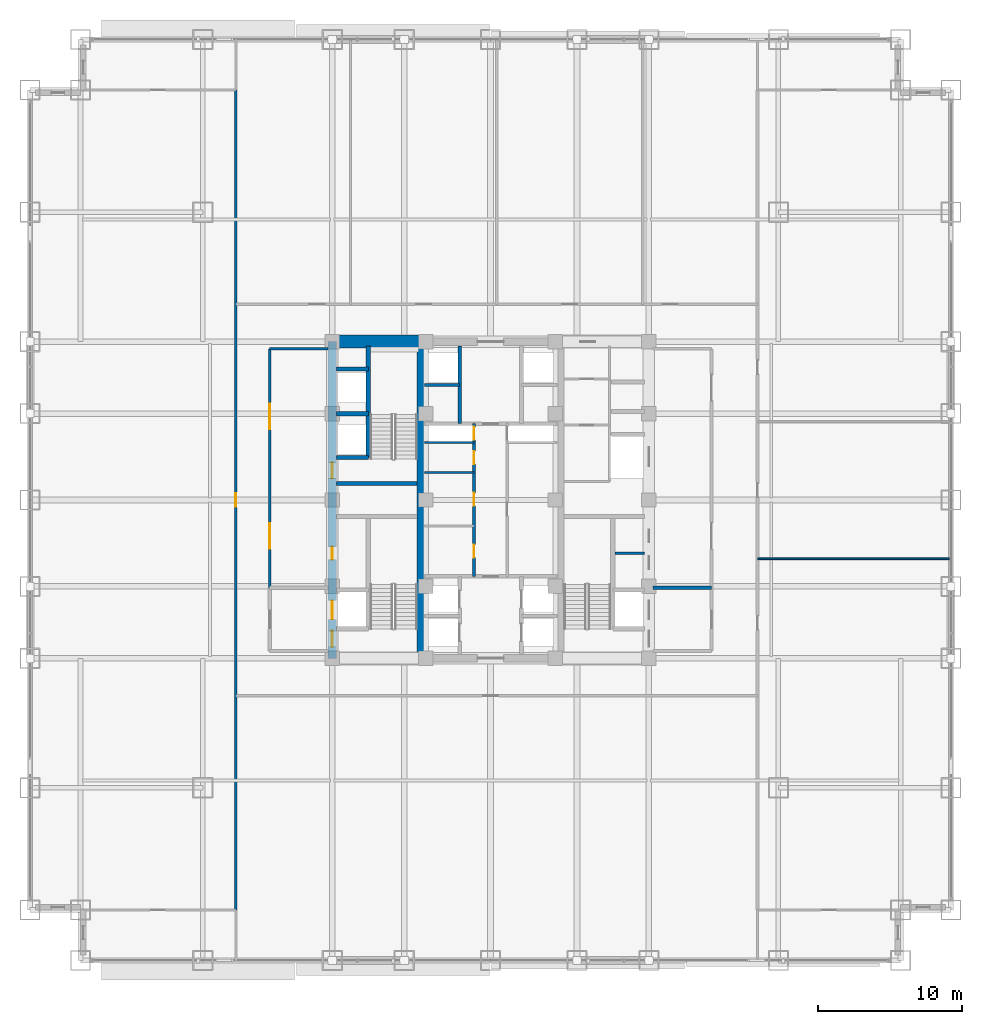
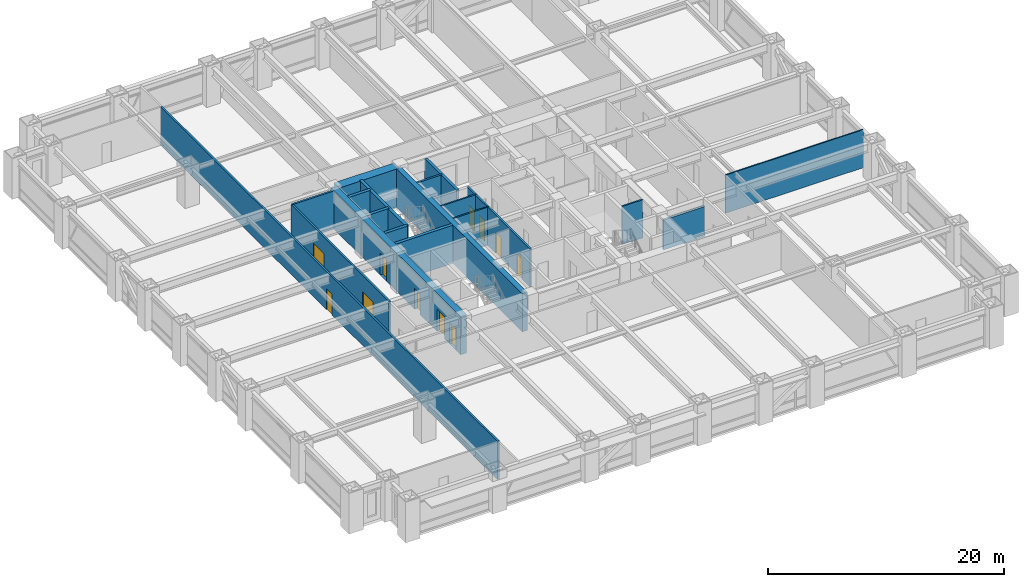
# One storey, part 24 of 31: 19 walls, 11 doors, 11 openings.
"""IFC4 building model written with IfcOpenShell, lengths in metres."""

from ifc_helpers import new_model, si_unit, direction, frame, frame_2d, origin, place, context, subcontext, project, spatial, rectangle, extrude, source, transform, mapped, material, layer, layer_set, type_object, element, fill, save


model = new_model("IFC4")

# Units and contexts
model_context = context("Model", 3, precision=1e-05, world=origin(), true_north=direction((0.0, 1.0)))
body_context = subcontext(model_context, "Body", "Model", "MODEL_VIEW")
ifc_project = project(units=[si_unit("LENGTHUNIT", "METRE"), si_unit("AREAUNIT", "SQUARE_METRE"), si_unit("VOLUMEUNIT", "CUBIC_METRE"), si_unit("PLANEANGLEUNIT", "RADIAN"), si_unit("MASSUNIT", "GRAM", prefix="KILO")], contexts=[model_context])

# Site, building, storey
site_placement = place(None, origin())
site = spatial("IfcSite", under=ifc_project, at=site_placement, CompositionType="ELEMENT")
building_placement = place(site_placement, origin())
building = spatial("IfcBuilding", under=site, at=building_placement, Name="Khorayat Bourse Tower", CompositionType="ELEMENT")
storey_placement = place(building_placement, frame((0.0, 0.0, 32.60009765625)))
storey = spatial("IfcBuildingStorey", under=building, at=storey_placement, Name="L06", CompositionType="ELEMENT", Elevation=32.60009765625)

# Wall, openings, doors
ifc_material_1 = material(Name="Concrete C60/75", Category="concrete")
ifc_layer_1 = layer(ifc_material_1, 0.60009765625)
ifc_layer_set_1 = layer_set([ifc_layer_1], Name="Concrete C60/75")
wall_type_1 = type_object("IfcWallType", Name="WAL-CORE-600", PredefinedType="SHEAR", material=ifc_layer_set_1)
shared_shape_1 = source(origin(), body_context, "Body", "SweptSolid", [
    extrude(rectangle(XDim=22.0, YDim=0.60009765625, at=frame_2d((11.0, 0.0))), origin(), (0.0, 0.0, 1.0), 3.93994140625),
])
wall_1_placement = place(storey_placement, frame((-11.0, -11.0, 0.0), z_axis=(0.0, 0.0, 1.0), x_axis=(0.0, 1.0, 0.0)))
wall_1 = element("IfcWall", 1, at=wall_1_placement, inside=storey, type_object=wall_type_1, Name="L06 Core Shear Wall CORE-W", PredefinedType="SHEAR", context=body_context, shape_type="MappedRepresentation", body=[
    mapped(shared_shape_1, transform((0.0, 0.0, 0.0), scale=1.0)),
])
shared_shape_2 = source(origin(), body_context, "Body", "SweptSolid", [
    extrude(rectangle(XDim=1.10009765625, YDim=2.199951171875, at=frame_2d((0.550048828125, 1.10009765625))), frame((0.0, 0.31005859375, 0.0), z_axis=(0.0, -1.0, 0.0), x_axis=(1.0, 0.0, 0.0)), (0.0, 0.0, 1.0), 0.6201171875),
])
opening_1_placement = place(wall_1_placement, frame((0.800048828125, 0.0, 0.0)))
opening_1 = element("IfcOpeningElement", 2, at=opening_1_placement, cuts=wall_1, Name="Opening DI-01", PredefinedType="OPENING", context=body_context, shape_type="MappedRepresentation", body=[
    mapped(shared_shape_2, transform((0.0, 0.0, 0.0), scale=1.0)),
])
opening_2_placement = place(wall_1_placement, frame((12.5, 0.0, 0.0)))
opening_2 = element("IfcOpeningElement", 3, at=opening_2_placement, cuts=wall_1, Name="Opening DI-01", PredefinedType="OPENING", context=body_context, shape_type="MappedRepresentation", body=[
    mapped(shared_shape_2, transform((0.0, 0.0, 0.0), scale=1.0)),
])
shared_shape_3 = source(origin(), body_context, "Body", "SweptSolid", [
    extrude(rectangle(XDim=0.89990234375, YDim=2.14990234375, at=frame_2d((0.449951171875, 1.074951171875))), frame((0.0, 0.31005859375, 0.0), z_axis=(0.0, -1.0, 0.0), x_axis=(1.0, 0.0, 0.0)), (0.0, 0.0, 1.0), 0.6201171875),
])
opening_3_placement = place(wall_1_placement, frame((6.85009765625, 0.0, 0.0)))
opening_3 = element("IfcOpeningElement", 4, at=opening_3_placement, cuts=wall_1, Name="Opening DI-06", PredefinedType="OPENING", context=body_context, shape_type="MappedRepresentation", body=[
    mapped(shared_shape_3, transform((0.0, 0.0, 0.0), scale=1.0)),
])
shared_shape_4 = source(origin(), body_context, "Body", "SweptSolid", [
    extrude(rectangle(XDim=1.300048828125, YDim=2.300048828125, at=frame_2d((0.64990234375, 1.14990234375))), frame((0.0, 0.31005859375, 0.0), z_axis=(0.0, -1.0, 0.0), x_axis=(1.0, 0.0, 0.0)), (0.0, 0.0, 1.0), 0.6201171875),
])
opening_4_placement = place(wall_1_placement, frame((2.699951171875, 0.0, 0.0)))
opening_4 = element("IfcOpeningElement", 5, at=opening_4_placement, cuts=wall_1, Name="Opening LD-02", PredefinedType="OPENING", context=body_context, shape_type="MappedRepresentation", body=[
    mapped(shared_shape_4, transform((0.0, 0.0, 0.0), scale=1.0)),
])
ifc_material_2 = material(Name="Fire-rated steel acoustic leaf", Category="steel")
door_type_1 = type_object("IfcDoorType", Name="DR-INT-STAIR-1100", OperationType="NOTDEFINED", PredefinedType="DOOR", material=ifc_material_2)
shared_shape_5 = source(origin(), body_context, "Body", "SweptSolid", [
    extrude(rectangle(XDim=1.10009765625, YDim=2.199951171875, at=frame_2d((0.550048828125, 1.10009765625))), frame((0.0, 0.02490234375, 0.0), z_axis=(0.0, -1.0, 0.0), x_axis=(1.0, 0.0, 0.0)), (0.0, 0.0, 1.0), 0.050048828125),
])
door_1_placement = place(opening_1_placement, origin())
door_1 = element("IfcDoor", 6, at=door_1_placement, inside=storey, type_object=door_type_1, Name="L06 Exit Stair 1 Door", OperationType="SINGLE_SWING_RIGHT", OverallHeight=2.199951171875, OverallWidth=1.10009765625, PredefinedType="DOOR", context=body_context, shape_type="MappedRepresentation", body=[
    mapped(shared_shape_5, transform((0.0, 0.0, 0.0), scale=1.0)),
])
fill(opening_1, door_1)
door_2_placement = place(opening_2_placement, origin())
door_2 = element("IfcDoor", 7, at=door_2_placement, inside=storey, type_object=door_type_1, Name="L06 Exit Stair 2 Door", OperationType="SINGLE_SWING_RIGHT", OverallHeight=2.199951171875, OverallWidth=1.10009765625, PredefinedType="DOOR", context=body_context, shape_type="MappedRepresentation", body=[
    mapped(shared_shape_5, transform((0.0, 0.0, 0.0), scale=1.0)),
])
fill(opening_2, door_2)
ifc_material_3 = material(Name="Moisture-resistant laminate washroom door")
door_type_2 = type_object("IfcDoorType", Name="DR-INT-WC-900", OperationType="NOTDEFINED", PredefinedType="DOOR", material=ifc_material_3)
shared_shape_6 = source(origin(), body_context, "Body", "SweptSolid", [
    extrude(rectangle(XDim=0.89990234375, YDim=2.14990234375, at=frame_2d((0.449951171875, 1.074951171875))), frame((0.0, 0.02490234375, 0.0), z_axis=(0.0, -1.0, 0.0), x_axis=(1.0, 0.0, 0.0)), (0.0, 0.0, 1.0), 0.050048828125),
])
door_3_placement = place(opening_3_placement, origin())
door_3 = element("IfcDoor", 8, at=door_3_placement, inside=storey, type_object=door_type_2, Name="L06 Electrical Switch Plant Room Door", OperationType="SINGLE_SWING_RIGHT", OverallHeight=2.14990234375, OverallWidth=0.89990234375, PredefinedType="DOOR", context=body_context, shape_type="MappedRepresentation", body=[
    mapped(shared_shape_6, transform((0.0, 0.0, 0.0), scale=1.0)),
])
fill(opening_3, door_3)
ifc_material_4 = material(Name="Fire-rated stainless-steel sliding landing door", Category="steel")
door_type_3 = type_object("IfcDoorType", Name="DR-LIFT-FF-1300", OperationType="NOTDEFINED", PredefinedType="DOOR", material=ifc_material_4)
shared_shape_7 = source(origin(), body_context, "Body", "SweptSolid", [
    extrude(rectangle(XDim=1.300048828125, YDim=2.300048828125, at=frame_2d((0.64990234375, 1.14990234375))), frame((0.0, 0.02490234375, 0.0), z_axis=(0.0, -1.0, 0.0), x_axis=(1.0, 0.0, 0.0)), (0.0, 0.0, 1.0), 0.050048828125),
])
door_4_placement = place(opening_4_placement, origin())
door_4 = element("IfcDoor", 9, at=door_4_placement, inside=storey, type_object=door_type_3, Name="L06 Lift FFL-01 Sliding Landing Door", OperationType="SLIDING_TO_LEFT", OverallHeight=2.300048828125, OverallWidth=1.300048828125, PredefinedType="DOOR", context=body_context, shape_type="MappedRepresentation", body=[
    mapped(shared_shape_7, transform((0.0, 0.0, 0.0), scale=1.0)),
])
fill(opening_4, door_4)

# Walls
ifc_material_5 = material(Name="Concrete C52/65", Category="concrete")
ifc_layer_2 = layer(ifc_material_5, 0.5)
ifc_layer_set_2 = layer_set([ifc_layer_2], Name="Concrete C52/65")
wall_type_2 = type_object("IfcWallType", Name="WAL-CORE-500", PredefinedType="SHEAR", material=ifc_layer_set_2)
shared_shape_8 = source(origin(), body_context, "Body", "SweptSolid", [
    extrude(rectangle(XDim=21.39990234375, YDim=0.5, at=frame_2d((10.699951171875, 0.0))), origin(), (0.0, 0.0, 1.0), 3.93994140625),
])
wall_2_placement = place(storey_placement, frame((-4.85009765625, -10.699951171875, 0.0), z_axis=(0.0, 0.0, 1.0), x_axis=(0.0, 1.0, 0.0)))
element("IfcWall", 10, at=wall_2_placement, inside=storey, type_object=wall_type_2, Name="L06 Core Shear Wall PIER-W", PredefinedType="SHEAR", context=body_context, shape_type="MappedRepresentation", body=[
    mapped(shared_shape_8, transform((0.0, 0.0, 0.0), scale=1.0)),
])
ifc_material_6 = material(Name="Concrete C72/90", Category="concrete")
ifc_layer_3 = layer(ifc_material_6, 0.89990234375)
ifc_layer_set_3 = layer_set([ifc_layer_3], Name="Concrete C72/90")
wall_type_3 = type_object("IfcWallType", Name="WAL-CORE-900", PredefinedType="SHEAR", material=ifc_layer_set_3)
shared_shape_9 = source(origin(), body_context, "Body", "SweptSolid", [
    extrude(rectangle(XDim=5.849853515625, YDim=0.89990234375, at=frame_2d((2.9248046875, 0.0))), origin(), (0.0, 0.0, 1.0), 3.93994140625),
])
wall_3_placement = place(storey_placement, frame((-10.699951171875, 11.0, 0.0), z_axis=(0.0, 0.0, 1.0), x_axis=(1.0, 0.0, 0.0)))
element("IfcWall", 11, at=wall_3_placement, inside=storey, type_object=wall_type_3, Name="L06 Core Shear Wall PIER-WN", PredefinedType="SHEAR", context=body_context, shape_type="MappedRepresentation", body=[
    mapped(shared_shape_9, transform((0.0, 0.0, 0.0), scale=1.0)),
])
ifc_material_7 = material(Name="Concrete C50/60", Category="concrete")
ifc_layer_4 = layer(ifc_material_7, 0.300048828125)
ifc_layer_set_4 = layer_set([ifc_layer_4], Name="Concrete C50/60")
wall_type_4 = type_object("IfcWallType", Name="WAL-SHAFT-300", PredefinedType="SHEAR", material=ifc_layer_set_4)
shared_shape_10 = source(origin(), body_context, "Body", "SweptSolid", [
    extrude(rectangle(XDim=5.599853515625, YDim=0.300048828125, at=frame_2d((2.7998046875, 0.0))), origin(), (0.0, 0.0, 1.0), 3.93994140625),
])
wall_4_placement = place(storey_placement, frame((-10.699951171875, 1.14990234375, 0.0), z_axis=(0.0, 0.0, 1.0), x_axis=(1.0, 0.0, 0.0)))
element("IfcWall", 12, at=wall_4_placement, inside=storey, type_object=wall_type_4, Name="L06 Core Shear Wall ST2-DIV", PredefinedType="SHEAR", context=body_context, shape_type="MappedRepresentation", body=[
    mapped(shared_shape_10, transform((0.0, 0.0, 0.0), scale=1.0)),
])
shared_shape_11 = source(origin(), body_context, "Body", "SweptSolid", [
    extrude(rectangle(XDim=2.199951171875, YDim=0.300048828125, at=frame_2d((1.10009765625, 0.0))), origin(), (0.0, 0.0, 1.0), 3.93994140625),
])
for number, where, z_axis, x_axis, name in (
    (13, (-10.699951171875, 2.949951171875, 0.0), (0.0, 0.0, 1.0), (1.0, 0.0, 0.0), "L06 Partition WAL-L06-WPIER-H1S"),
    (14, (-10.699951171875, 6.0, 0.0), (0.0, 0.0, 1.0), (1.0, 0.0, 0.0), "L06 Partition WAL-L06-WPIER-H12"),
    (15, (-10.699951171875, 9.10009765625, 0.0), (0.0, 0.0, 1.0), (1.0, 0.0, 0.0), "L06 Partition WAL-L06-WPIER-H2N"),
):
    element("IfcWall", number, at=place(storey_placement, frame(where, z_axis=z_axis, x_axis=x_axis)), inside=storey, type_object=wall_type_4, Name=name, PredefinedType="SHEAR", context=body_context, shape_type="MappedRepresentation", body=[
        mapped(shared_shape_11, transform((0.0, 0.0, 0.0), scale=1.0)),
    ])
shared_shape_12 = source(origin(), body_context, "Body", "SweptSolid", [
    extrude(rectangle(XDim=7.75, YDim=0.300048828125, at=frame_2d((3.875, 0.0))), origin(), (0.0, 0.0, 1.0), 3.93994140625),
])
wall_5_placement = place(storey_placement, frame((-8.5, 2.949951171875, 0.0), z_axis=(0.0, 0.0, 1.0), x_axis=(0.0, 1.0, 0.0)))
element("IfcWall", 16, at=wall_5_placement, inside=storey, type_object=wall_type_4, Name="L06 Partition WAL-L06-WPIER-ST2S", PredefinedType="SHEAR", context=body_context, shape_type="MappedRepresentation", body=[
    mapped(shared_shape_12, transform((0.0, 0.0, 0.0), scale=1.0)),
])
ifc_material_8 = material(Name="Gypsum plasterboard twin-frame partition")
ifc_layer_5 = layer(ifc_material_8, 0.14990234375)
ifc_layer_set_5 = layer_set([ifc_layer_5], Name="Gypsum plasterboard twin-frame partition")
wall_type_5 = type_object("IfcWallType", Name="WAL-PART-SUITE-150", PredefinedType="PARTITIONING", material=ifc_layer_set_5)
shared_shape_13 = source(origin(), body_context, "Body", "SweptSolid", [
    extrude(rectangle(XDim=2.050048828125, YDim=0.14990234375, at=frame_2d((1.02490234375, 0.0))), origin(), (0.0, 0.0, 1.0), 3.93994140625),
])
wall_6_placement = place(storey_placement, frame((8.64990234375, -3.699951171875, 0.0), z_axis=(0.0, 0.0, 1.0), x_axis=(1.0, 0.0, 0.0)))
element("IfcWall", 17, at=wall_6_placement, inside=storey, type_object=wall_type_5, Name="L06 Partition WAL-L06-ESRV-D1", PredefinedType="PARTITIONING", context=body_context, shape_type="MappedRepresentation", body=[
    mapped(shared_shape_13, transform((0.0, 0.0, 0.0), scale=1.0)),
])
ifc_material_9 = material(Name="Aerated concrete blockwork", Category="masonry")
ifc_layer_6 = layer(ifc_material_9, 0.219970703125)
ifc_layer_set_6 = layer_set([ifc_layer_6], Name="Aerated concrete blockwork")
wall_type_6 = type_object("IfcWallType", Name="WAL-PART-FF-220", PredefinedType="PARTITIONING", material=ifc_layer_set_6)
shared_shape_14 = source(origin(), body_context, "Body", "SweptSolid", [
    extrude(rectangle(XDim=4.050048828125, YDim=0.219970703125, at=frame_2d((2.02490234375, 0.0))), origin(), (0.0, 0.0, 1.0), 3.0849609375),
])
wall_7_placement = place(storey_placement, frame((11.300048828125, -6.10009765625, 0.0), z_axis=(0.0, 0.0, 1.0), x_axis=(1.0, 0.0, 0.0)))
element("IfcWall", 18, at=wall_7_placement, inside=storey, type_object=wall_type_6, Name="L06 Partition WAL-L06-FFLE-N", PredefinedType="PARTITIONING", context=body_context, shape_type="MappedRepresentation", body=[
    mapped(shared_shape_14, transform((0.0, 0.0, 0.0), scale=1.0)),
])
ifc_material_10 = material(Name="Gypsum plasterboard acoustic stud wall")
ifc_layer_7 = layer(ifc_material_10, 0.179931640625)
ifc_layer_set_7 = layer_set([ifc_layer_7], Name="Gypsum plasterboard acoustic stud wall")
wall_type_7 = type_object("IfcWallType", Name="WAL-PART-CORR-180", PredefinedType="PARTITIONING", material=ifc_layer_set_7)
shared_shape_15 = source(origin(), body_context, "Body", "SweptSolid", [
    extrude(rectangle(XDim=4.050048828125, YDim=0.179931640625, at=frame_2d((2.02490234375, 0.0))), origin(), (0.0, 0.0, 1.0), 3.93994140625),
])
wall_8_placement = place(storey_placement, frame((-15.35009765625, 10.5, 0.0), z_axis=(0.0, 0.0, 1.0), x_axis=(1.0, 0.0, 0.0)))
element("IfcWall", 19, at=wall_8_placement, inside=storey, type_object=wall_type_7, Name="L06 Partition WAL-L06-WLOB-N", PredefinedType="PARTITIONING", context=body_context, shape_type="MappedRepresentation", body=[
    mapped(shared_shape_15, transform((0.0, 0.0, 0.0), scale=1.0)),
])

# Wall, openings, doors
shared_shape_16 = source(origin(), body_context, "Body", "SweptSolid", [
    extrude(rectangle(XDim=16.60009765625, YDim=0.179931640625, at=frame_2d((8.300048828125, 0.0))), origin(), (0.0, 0.0, 1.0), 3.93994140625),
])
wall_9_placement = place(storey_placement, frame((-15.35009765625, -6.10009765625, 0.0), z_axis=(0.0, 0.0, 1.0), x_axis=(0.0, 1.0, 0.0)))
wall_9 = element("IfcWall", 20, at=wall_9_placement, inside=storey, type_object=wall_type_7, Name="L06 Partition WAL-L06-WLOB-W", PredefinedType="PARTITIONING", context=body_context, shape_type="MappedRepresentation", body=[
    mapped(shared_shape_16, transform((0.0, 0.0, 0.0), scale=1.0)),
])
shared_shape_17 = source(origin(), body_context, "Body", "SweptSolid", [
    extrude(rectangle(XDim=1.800048828125, YDim=2.25, at=frame_2d((0.89990234375, 1.125))), frame((0.0, 0.099853515625, 0.0), z_axis=(0.0, -1.0, 0.0), x_axis=(1.0, 0.0, 0.0)), (0.0, 0.0, 1.0), 0.199951171875),
])
opening_5_placement = place(wall_9_placement, frame((2.699951171875, 0.0, 0.0)))
opening_5 = element("IfcOpeningElement", 21, at=opening_5_placement, cuts=wall_9, Name="Opening DI-03", PredefinedType="OPENING", context=body_context, shape_type="MappedRepresentation", body=[
    mapped(shared_shape_17, transform((0.0, 0.0, 0.0), scale=1.0)),
])
opening_6_placement = place(wall_9_placement, frame((11.0, 0.0, 0.0)))
opening_6 = element("IfcOpeningElement", 22, at=opening_6_placement, cuts=wall_9, Name="Opening DI-03", PredefinedType="OPENING", context=body_context, shape_type="MappedRepresentation", body=[
    mapped(shared_shape_17, transform((0.0, 0.0, 0.0), scale=1.0)),
])
ifc_material_11 = material(Name="Fire-rated hardwood vision-panel double leaf", Category="wood")
door_type_4 = type_object("IfcDoorType", Name="DR-INT-CORR-1800", OperationType="NOTDEFINED", PredefinedType="DOOR", material=ifc_material_11)
shared_shape_18 = source(origin(), body_context, "Body", "SweptSolid", [
    extrude(rectangle(XDim=1.800048828125, YDim=2.25, at=frame_2d((0.89990234375, 1.125))), frame((0.0, 0.02490234375, 0.0), z_axis=(0.0, -1.0, 0.0), x_axis=(1.0, 0.0, 0.0)), (0.0, 0.0, 1.0), 0.050048828125),
])
door_5_placement = place(opening_5_placement, origin())
door_5 = element("IfcDoor", 23, at=door_5_placement, inside=storey, type_object=door_type_4, Name="L06 West Core Lobby South Door", OperationType="SINGLE_SWING_LEFT", OverallHeight=2.25, OverallWidth=1.800048828125, PredefinedType="DOOR", context=body_context, shape_type="MappedRepresentation", body=[
    mapped(shared_shape_18, transform((0.0, 0.0, 0.0), scale=1.0)),
])
fill(opening_5, door_5)
door_6_placement = place(opening_6_placement, origin())
door_6 = element("IfcDoor", 24, at=door_6_placement, inside=storey, type_object=door_type_4, Name="L06 West Core Lobby North Door", OperationType="SINGLE_SWING_RIGHT", OverallHeight=2.25, OverallWidth=1.800048828125, PredefinedType="DOOR", context=body_context, shape_type="MappedRepresentation", body=[
    mapped(shared_shape_18, transform((0.0, 0.0, 0.0), scale=1.0)),
])
fill(opening_6, door_6)

# Walls
shared_shape_19 = source(origin(), body_context, "Body", "SweptSolid", [
    extrude(rectangle(XDim=3.4501953125, YDim=0.14990234375, at=frame_2d((1.72509765625, 0.0))), origin(), (0.0, 0.0, 1.0), 3.93994140625),
])
wall_10_placement = place(storey_placement, frame((-4.60009765625, 4.0, 0.0), z_axis=(0.0, 0.0, 1.0), x_axis=(1.0, 0.0, 0.0)))
element("IfcWall", 25, at=wall_10_placement, inside=storey, type_object=wall_type_5, Name="L06 Partition WAL-L06-CRSW-S", PredefinedType="PARTITIONING", context=body_context, shape_type="MappedRepresentation", body=[
    mapped(shared_shape_19, transform((0.0, 0.0, 0.0), scale=1.0)),
])
shared_shape_20 = source(origin(), body_context, "Body", "SweptSolid", [
    extrude(rectangle(XDim=5.39990234375, YDim=0.25, at=frame_2d((2.699951171875, 0.0))), origin(), (0.0, 0.0, 1.0), 3.93994140625),
])
wall_11_placement = place(storey_placement, frame((-2.14990234375, 5.300048828125, 0.0), z_axis=(0.0, 0.0, 1.0), x_axis=(0.0, 1.0, 0.0)))
element("IfcWall", 26, at=wall_11_placement, inside=storey, type_object=wall_type_4, Name="L06 Partition WAL-L06-B2-W", PredefinedType="SHEAR", context=body_context, shape_type="MappedRepresentation", body=[
    mapped(shared_shape_20, transform((0.0, 0.0, 0.0), scale=1.0)),
])
shared_shape_21 = source(origin(), body_context, "Body", "SweptSolid", [
    extrude(rectangle(XDim=2.4501953125, YDim=0.199951171875, at=frame_2d((1.22509765625, 0.0))), origin(), (0.0, 0.0, 1.0), 3.93994140625),
])
wall_12_placement = place(storey_placement, frame((-4.60009765625, 8.0, 0.0), z_axis=(0.0, 0.0, 1.0), x_axis=(1.0, 0.0, 0.0)))
element("IfcWall", 27, at=wall_12_placement, inside=storey, type_object=wall_type_4, Name="L06 Partition WAL-L06-B2-MW", PredefinedType="SHEAR", context=body_context, shape_type="MappedRepresentation", body=[
    mapped(shared_shape_21, transform((0.0, 0.0, 0.0), scale=1.0)),
])
ifc_material_12 = material(Name="Moisture-resistant masonry partition", Category="masonry")
ifc_layer_8 = layer(ifc_material_12, 0.139892578125)
ifc_layer_set_8 = layer_set([ifc_layer_8], Name="Moisture-resistant masonry partition")
wall_type_8 = type_object("IfcWallType", Name="WAL-PART-WET-140", PredefinedType="PARTITIONING", material=ifc_layer_set_8)
shared_shape_22 = source(origin(), body_context, "Body", "SweptSolid", [
    extrude(rectangle(XDim=3.4501953125, YDim=0.139892578125, at=frame_2d((1.72509765625, 0.0))), origin(), (0.0, 0.0, 1.0), 3.93994140625),
])
wall_13_placement = place(storey_placement, frame((-4.60009765625, 1.89990234375, 0.0), z_axis=(0.0, 0.0, 1.0), x_axis=(1.0, 0.0, 0.0)))
element("IfcWall", 28, at=wall_13_placement, inside=storey, type_object=wall_type_8, Name="L06 Partition WAL-L06-CMW-D2", PredefinedType="PARTITIONING", context=body_context, shape_type="MappedRepresentation", body=[
    mapped(shared_shape_22, transform((0.0, 0.0, 0.0), scale=1.0)),
])

# Wall, openings, doors
shared_shape_23 = source(origin(), body_context, "Body", "SweptSolid", [
    extrude(rectangle(XDim=10.60009765625, YDim=0.179931640625, at=frame_2d((5.300048828125, 0.0))), origin(), (0.0, 0.0, 1.0), 3.93994140625),
])
wall_14_placement = place(storey_placement, frame((-1.14990234375, -5.300048828125, 0.0), z_axis=(0.0, 0.0, 1.0), x_axis=(0.0, 1.0, 0.0)))
wall_14 = element("IfcWall", 29, at=wall_14_placement, inside=storey, type_object=wall_type_7, Name="L06 Partition WAL-L06-CMW-L", PredefinedType="PARTITIONING", context=body_context, shape_type="MappedRepresentation", body=[
    mapped(shared_shape_23, transform((0.0, 0.0, 0.0), scale=1.0)),
])
shared_shape_24 = source(origin(), body_context, "Body", "SweptSolid", [
    extrude(rectangle(XDim=0.89990234375, YDim=2.14990234375, at=frame_2d((0.449951171875, 1.074951171875))), frame((0.0, 0.099853515625, 0.0), z_axis=(0.0, -1.0, 0.0), x_axis=(1.0, 0.0, 0.0)), (0.0, 0.0, 1.0), 0.199951171875),
])
opening_7_placement = place(wall_14_placement, frame((1.300048828125, 0.0, 0.0)))
opening_7 = element("IfcOpeningElement", 30, at=opening_7_placement, cuts=wall_14, Name="Opening DI-06", PredefinedType="OPENING", context=body_context, shape_type="MappedRepresentation", body=[
    mapped(shared_shape_24, transform((0.0, 0.0, 0.0), scale=1.0)),
])
opening_8_placement = place(wall_14_placement, frame((4.89990234375, 0.0, 0.0)))
opening_8 = element("IfcOpeningElement", 31, at=opening_8_placement, cuts=wall_14, Name="Opening DI-06", PredefinedType="OPENING", context=body_context, shape_type="MappedRepresentation", body=[
    mapped(shared_shape_24, transform((0.0, 0.0, 0.0), scale=1.0)),
])
opening_9_placement = place(wall_14_placement, frame((7.800048828125, 0.0, 0.0)))
opening_9 = element("IfcOpeningElement", 32, at=opening_9_placement, cuts=wall_14, Name="Opening DI-06", PredefinedType="OPENING", context=body_context, shape_type="MappedRepresentation", body=[
    mapped(shared_shape_24, transform((0.0, 0.0, 0.0), scale=1.0)),
])
opening_10_placement = place(wall_14_placement, frame((9.47509765625, 0.0, 0.0)))
opening_10 = element("IfcOpeningElement", 33, at=opening_10_placement, cuts=wall_14, Name="Opening DI-06", PredefinedType="OPENING", context=body_context, shape_type="MappedRepresentation", body=[
    mapped(shared_shape_24, transform((0.0, 0.0, 0.0), scale=1.0)),
])
door_7_placement = place(opening_7_placement, origin())
door_7 = element("IfcDoor", 34, at=door_7_placement, inside=storey, type_object=door_type_2, Name="L06 Male Core Washroom Door", OperationType="SINGLE_SWING_RIGHT", OverallHeight=2.14990234375, OverallWidth=0.89990234375, PredefinedType="DOOR", context=body_context, shape_type="MappedRepresentation", body=[
    mapped(shared_shape_6, transform((0.0, 0.0, 0.0), scale=1.0)),
])
fill(opening_7, door_7)
door_8_placement = place(opening_8_placement, origin())
door_8 = element("IfcDoor", 35, at=door_8_placement, inside=storey, type_object=door_type_2, Name="L06 AHU Fan Plant Room Door", OperationType="SINGLE_SWING_LEFT", OverallHeight=2.14990234375, OverallWidth=0.89990234375, PredefinedType="DOOR", context=body_context, shape_type="MappedRepresentation", body=[
    mapped(shared_shape_6, transform((0.0, 0.0, 0.0), scale=1.0)),
])
fill(opening_8, door_8)
door_9_placement = place(opening_9_placement, origin())
door_9 = element("IfcDoor", 36, at=door_9_placement, inside=storey, type_object=door_type_2, Name="L06 Janitor Store Door", OperationType="SINGLE_SWING_RIGHT", OverallHeight=2.14990234375, OverallWidth=0.89990234375, PredefinedType="DOOR", context=body_context, shape_type="MappedRepresentation", body=[
    mapped(shared_shape_6, transform((0.0, 0.0, 0.0), scale=1.0)),
])
fill(opening_9, door_9)
door_10_placement = place(opening_10_placement, origin())
door_10 = element("IfcDoor", 37, at=door_10_placement, inside=storey, type_object=door_type_2, Name="L06 West Core Riser Door", OperationType="SINGLE_SWING_LEFT", OverallHeight=2.14990234375, OverallWidth=0.89990234375, PredefinedType="DOOR", context=body_context, shape_type="MappedRepresentation", body=[
    mapped(shared_shape_6, transform((0.0, 0.0, 0.0), scale=1.0)),
])
fill(opening_10, door_10)

# Wall, opening, door
shared_shape_25 = source(origin(), body_context, "Body", "SweptSolid", [
    extrude(rectangle(XDim=57.0, YDim=0.179931640625, at=frame_2d((28.5, 0.0))), origin(), (0.0, 0.0, 1.0), 3.93994140625),
])
wall_15_placement = place(storey_placement, frame((-17.699951171875, -28.5, 0.0), z_axis=(0.0, 0.0, 1.0), x_axis=(0.0, 1.0, 0.0)))
wall_15 = element("IfcWall", 38, at=wall_15_placement, inside=storey, type_object=wall_type_7, Name="L06 Partition WAL-L06-WCORR", PredefinedType="PARTITIONING", context=body_context, shape_type="MappedRepresentation", body=[
    mapped(shared_shape_25, transform((0.0, 0.0, 0.0), scale=1.0)),
])
shared_shape_26 = source(origin(), body_context, "Body", "SweptSolid", [
    extrude(rectangle(XDim=0.949951171875, YDim=2.14990234375, at=frame_2d((0.47509765625, 1.074951171875))), frame((0.0, 0.099853515625, 0.0), z_axis=(0.0, -1.0, 0.0), x_axis=(1.0, 0.0, 0.0)), (0.0, 0.0, 1.0), 0.199951171875),
])
opening_11_placement = place(wall_15_placement, frame((28.02490234375, 0.0, 0.0)))
opening_11 = element("IfcOpeningElement", 39, at=opening_11_placement, cuts=wall_15, Name="Opening DI-05", PredefinedType="OPENING", context=body_context, shape_type="MappedRepresentation", body=[
    mapped(shared_shape_26, transform((0.0, 0.0, 0.0), scale=1.0)),
])
ifc_material_13 = material(Name="Acoustic oak veneer office door")
door_type_5 = type_object("IfcDoorType", Name="DR-INT-OFFICE-950", OperationType="NOTDEFINED", PredefinedType="DOOR", material=ifc_material_13)
shared_shape_27 = source(origin(), body_context, "Body", "SweptSolid", [
    extrude(rectangle(XDim=0.949951171875, YDim=2.14990234375, at=frame_2d((0.47509765625, 1.074951171875))), frame((0.0, 0.02490234375, 0.0), z_axis=(0.0, -1.0, 0.0), x_axis=(1.0, 0.0, 0.0)), (0.0, 0.0, 1.0), 0.050048828125),
])
door_11_placement = place(opening_11_placement, origin())
door_11 = element("IfcDoor", 40, at=door_11_placement, inside=storey, type_object=door_type_5, Name="L06 Public Washrooms and Restrooms W1 Door", OperationType="SINGLE_SWING_RIGHT", OverallHeight=2.14990234375, OverallWidth=0.949951171875, PredefinedType="DOOR", context=body_context, shape_type="MappedRepresentation", body=[
    mapped(shared_shape_27, transform((0.0, 0.0, 0.0), scale=1.0)),
])
fill(opening_11, door_11)

# Wall
ifc_material_14 = material(Name="Gypsum plasterboard partition")
ifc_layer_9 = layer(ifc_material_14, 0.125)
ifc_layer_set_9 = layer_set([ifc_layer_9], Name="Gypsum plasterboard partition")
wall_type_9 = type_object("IfcWallType", Name="WAL-PART-ROOM-125", PredefinedType="PARTITIONING", material=ifc_layer_set_9)
shared_shape_28 = source(origin(), body_context, "Body", "SweptSolid", [
    extrude(rectangle(XDim=13.449951171875, YDim=0.125, at=frame_2d((6.72509765625, 0.0))), origin(), (0.0, 0.0, 1.0), 3.93994140625),
])
wall_16_placement = place(storey_placement, frame((18.550048828125, -4.080078125, 0.0), z_axis=(0.0, 0.0, 1.0), x_axis=(1.0, 0.0, 0.0)))
element("IfcWall", 41, at=wall_16_placement, inside=storey, type_object=wall_type_9, Name="L06 Partition WAL-L06-EDV-1", PredefinedType="PARTITIONING", context=body_context, shape_type="MappedRepresentation", body=[
    mapped(shared_shape_28, transform((0.0, 0.0, 0.0), scale=1.0)),
])

save(model, "model.ifc")
